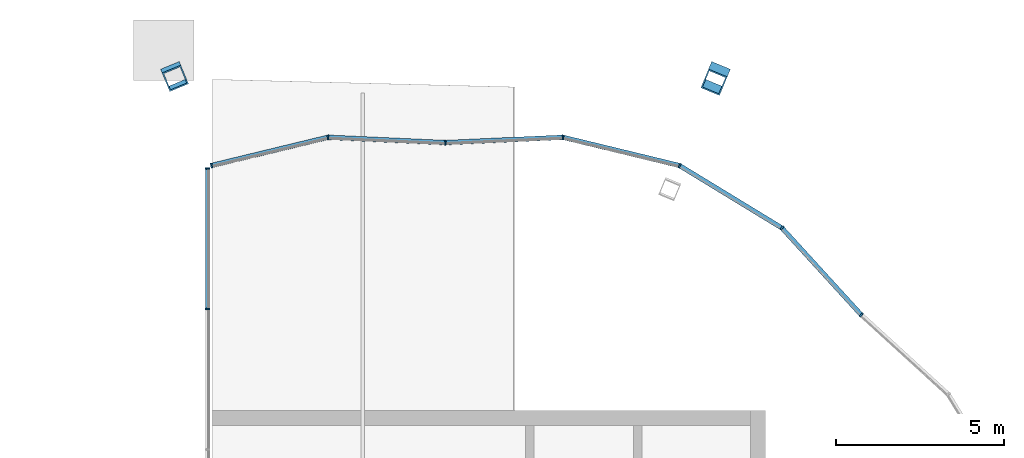
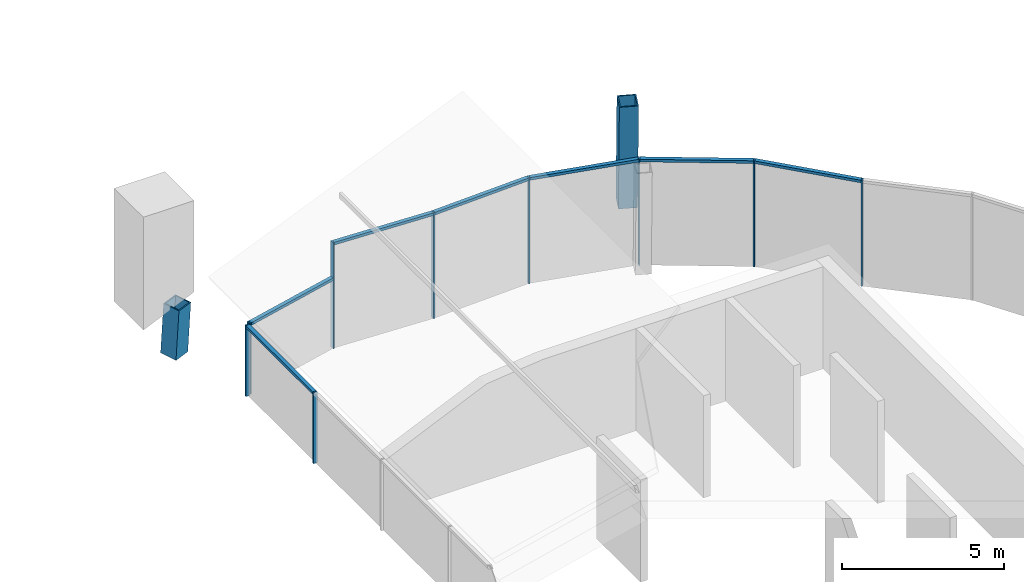
# One storey, part 6 of 14: 18 members, 4 elements without a shape of their own.
"""IFC4 building model written with IfcOpenShell, lengths in metres."""

from ifc_helpers import new_model, si_unit, direction, frame, origin, origin_2d, place, context, subcontext, project, spatial, rectangle, hollow_rectangle, extrude, material, material_profile, profile_set, type_object, element, aggregate, save


model = new_model("IFC4")

# Units and contexts
model_context = context("Model", 3, precision=1e-05, world=origin(), true_north=direction((0.0, 1.0)))
body_context = subcontext(model_context, "Body", "Model", "MODEL_VIEW")
ifc_project = project(units=[si_unit("LENGTHUNIT", "METRE"), si_unit("AREAUNIT", "SQUARE_METRE"), si_unit("VOLUMEUNIT", "CUBIC_METRE"), si_unit("PLANEANGLEUNIT", "RADIAN"), si_unit("MASSUNIT", "GRAM", prefix="KILO")], contexts=[model_context])

# Site, building, storey
site_placement = place(None, origin())
site = spatial("IfcSite", under=ifc_project, at=site_placement, CompositionType="ELEMENT")
building_placement = place(site_placement, origin())
building = spatial("IfcBuilding", under=site, at=building_placement, Name="Ogive Gate Towers", CompositionType="ELEMENT")
storey_placement = place(building_placement, frame((0.0, 0.0, 306.0)))
storey = spatial("IfcBuildingStorey", under=building, at=storey_placement, Name="L72", CompositionType="ELEMENT", Elevation=306.0)

# Curtain wall, member
ifc_material_1 = material(Name="Pale metal aluminium", Category="aluminium")
curtain_wall_type = type_object("IfcCurtainWallType", Name="Crown lean wall", PredefinedType="NOTDEFINED", material=ifc_material_1)
curtain_wall_1_placement = place(storey_placement, origin())
curtain_wall_1 = element("IfcCurtainWall", 1, at=curtain_wall_1_placement, inside=storey, type_object=curtain_wall_type, Name="CW5 T1 ECW01", PredefinedType="NOTDEFINED")
ifc_material_profile_1 = material_profile(ifc_material_1, rectangle(XDim=0.139892578125, YDim=0.050048828125, at=origin_2d()), Name="50 x 140 aluminium box")
ifc_profile_set_1 = profile_set([ifc_material_profile_1], Name="Pale metal aluminium")
member_type_1 = type_object("IfcMemberType", Name="Crown lean wall mullion 50 x 140", PredefinedType="MULLION", material=ifc_profile_set_1)
member_1_placement = place(storey_placement, frame((-23.661865234375, 12.340087890625, -0.300048828125), z_axis=(0.0, 0.0, 1.0), x_axis=(-0.674353939849, -0.738408263639, 0.0)))
member_1 = element("IfcMember", 2, at=member_1_placement, type_object=member_type_1, Name="CW5 mullion", PredefinedType="MULLION", context=body_context, shape_type="SweptSolid", body=[
    extrude(rectangle(XDim=0.139892578125, YDim=0.050048828125, at=origin_2d()), origin(), (0.0, 0.0, 1.0), 4.0),
])
aggregate(curtain_wall_1, [member_1])

# Curtain wall, members
curtain_wall_2_placement = place(storey_placement, origin())
curtain_wall_2 = element("IfcCurtainWall", 3, at=curtain_wall_2_placement, inside=storey, type_object=curtain_wall_type, Name="CW5 T1 ECW02", PredefinedType="NOTDEFINED")
member_2_placement = place(storey_placement, frame((-36.00146484375, 17.4501953125, -0.300048828125), z_axis=(0.0, 0.0, 1.0), x_axis=(0.045275811329, -0.998974524654, 0.0)))
member_2 = element("IfcMember", 4, at=member_2_placement, type_object=member_type_1, Name="CW5 mullion", PredefinedType="MULLION", context=body_context, shape_type="SweptSolid", body=[
    extrude(rectangle(XDim=0.139892578125, YDim=0.050048828125, at=origin_2d()), origin(), (0.0, 0.0, 1.0), 4.0),
])
member_3_placement = place(storey_placement, frame((-32.510986328125, 17.60791015625, -0.300048828125), z_axis=(0.0, 0.0, 1.0), x_axis=(-0.096158460724, -0.995366038416, 0.0)))
member_3 = element("IfcMember", 5, at=member_3_placement, type_object=member_type_1, Name="CW5 mullion", PredefinedType="MULLION", context=body_context, shape_type="SweptSolid", body=[
    extrude(rectangle(XDim=0.139892578125, YDim=0.050048828125, at=origin_2d()), origin(), (0.0, 0.0, 1.0), 4.0),
])
member_4_placement = place(storey_placement, frame((-29.0537109375, 16.76953125, -0.300048828125), z_axis=(0.0, 0.0, 1.0), x_axis=(-0.382667307567, -0.923886211456, 0.0)))
member_4 = element("IfcMember", 6, at=member_4_placement, type_object=member_type_1, Name="CW5 mullion", PredefinedType="MULLION", context=body_context, shape_type="SweptSolid", body=[
    extrude(rectangle(XDim=0.139892578125, YDim=0.050048828125, at=origin_2d()), origin(), (0.0, 0.0, 1.0), 4.0),
])
member_5_placement = place(storey_placement, frame((-26.016357421875, 14.91796875, -0.300048828125), z_axis=(0.0, 0.0, 1.0), x_axis=(-0.635822304907, -0.771835472483, 0.0)))
member_5 = element("IfcMember", 7, at=member_5_placement, type_object=member_type_1, Name="CW5 mullion", PredefinedType="MULLION", context=body_context, shape_type="SweptSolid", body=[
    extrude(rectangle(XDim=0.139892578125, YDim=0.050048828125, at=origin_2d()), origin(), (0.0, 0.0, 1.0), 4.0),
])

curtain_wall_3_placement = place(storey_placement, origin())
curtain_wall_3 = element("IfcCurtainWall", 8, at=curtain_wall_3_placement, inside=storey, type_object=curtain_wall_type, Name="CW5 T1 ECW03", PredefinedType="NOTDEFINED")
member_6_placement = place(storey_placement, frame((-42.94189453125, 16.77099609375, -0.300048828125), z_axis=(0.0, 0.0, 1.0), x_axis=(0.23568492183, -0.971829520864, 0.0)))
member_6 = element("IfcMember", 9, at=member_6_placement, type_object=member_type_1, Name="CW5 mullion", PredefinedType="MULLION", context=body_context, shape_type="SweptSolid", body=[
    extrude(rectangle(XDim=0.139892578125, YDim=0.050048828125, at=origin_2d()), origin(), (0.0, 0.0, 1.0), 2.677734375),
])
member_7_placement = place(storey_placement, frame((-39.489013671875, 17.60791015625, -0.300048828125), z_axis=(0.0, 0.0, 1.0), x_axis=(0.096158460724, -0.995366038416, 0.0)))
member_7 = element("IfcMember", 10, at=member_7_placement, type_object=member_type_1, Name="CW5 mullion", PredefinedType="MULLION", context=body_context, shape_type="SweptSolid", body=[
    extrude(rectangle(XDim=0.139892578125, YDim=0.050048828125, at=origin_2d()), origin(), (0.0, 0.0, 1.0), 4.0),
])

curtain_wall_4_placement = place(storey_placement, origin())
curtain_wall_4 = element("IfcCurtainWall", 11, at=curtain_wall_4_placement, inside=storey, type_object=curtain_wall_type, Name="CW5 T1 ECW03b", PredefinedType="NOTDEFINED")
member_8_placement = place(storey_placement, frame((-43.059326171875, 12.51318359375, -0.300048828125), z_axis=(0.0, 0.0, 1.0), x_axis=(1.0, 0.0, 0.0)))
member_8 = element("IfcMember", 12, at=member_8_placement, type_object=member_type_1, Name="CW5 mullion", PredefinedType="MULLION", context=body_context, shape_type="SweptSolid", body=[
    extrude(rectangle(XDim=0.139892578125, YDim=0.050048828125, at=origin_2d()), origin(), (0.0, 0.0, 1.0), 2.679931640625),
])
member_9_placement = place(storey_placement, frame((-43.059326171875, 16.68408203125, -0.300048828125), z_axis=(0.0, 0.0, 1.0), x_axis=(1.0, 0.0, 0.0)))
member_9 = element("IfcMember", 13, at=member_9_placement, type_object=member_type_1, Name="CW5 mullion", PredefinedType="MULLION", context=body_context, shape_type="SweptSolid", body=[
    extrude(rectangle(XDim=0.139892578125, YDim=0.050048828125, at=origin_2d()), origin(), (0.0, 0.0, 1.0), 2.679931640625),
])

# Member
ifc_material_profile_2 = material_profile(ifc_material_1, rectangle(XDim=0.139892578125, YDim=0.10009765625, at=origin_2d()), Name="100 x 140 aluminium box")
ifc_profile_set_2 = profile_set([ifc_material_profile_2], Name="Pale metal aluminium")
member_type_2 = type_object("IfcMemberType", Name="Crown lean wall transom 100 x 140", PredefinedType="USERDEFINED", material=ifc_profile_set_2)
member_10_placement = place(storey_placement, frame((-35.976318359375, 17.451171875, 3.64990234375), z_axis=(0.998974239594, 0.045282100523, 0.0), x_axis=(-0.045282100523, 0.998974239594, 0.0)))
member_10 = element("IfcMember", 14, at=member_10_placement, type_object=member_type_2, Name="CW5 transom", ObjectType="TRANSOM", PredefinedType="USERDEFINED", context=body_context, shape_type="SweptSolid", body=[
    extrude(rectangle(XDim=0.139892578125, YDim=0.10009765625, at=origin_2d()), origin(), (0.0, 0.0, 1.0), 3.439697265625),
])

member_11_placement = place(storey_placement, frame((-32.482421875, 17.601318359375, 3.64990234375), z_axis=(0.971834124793, -0.235665937055, 0.0), x_axis=(0.235665937055, 0.971834124793, 0.0)))
member_11 = element("IfcMember", 15, at=member_11_placement, type_object=member_type_2, Name="CW5 transom", ObjectType="TRANSOM", PredefinedType="USERDEFINED", context=body_context, shape_type="SweptSolid", body=[
    extrude(rectangle(XDim=0.139892578125, YDim=0.10009765625, at=origin_2d()), origin(), (0.0, 0.0, 1.0), 3.49853515625),
])

member_12_placement = place(storey_placement, frame((-29.0283203125, 16.75439453125, 3.64990234375), z_axis=(0.853838541215, -0.520537938613, 0.0), x_axis=(0.520537938613, 0.853838541215, 0.0)))
member_12 = element("IfcMember", 16, at=member_12_placement, type_object=member_type_2, Name="CW5 transom", ObjectType="TRANSOM", PredefinedType="USERDEFINED", context=body_context, shape_type="SweptSolid", body=[
    extrude(rectangle(XDim=0.139892578125, YDim=0.10009765625, at=origin_2d()), origin(), (0.0, 0.0, 1.0), 3.498291015625),
])

member_13_placement = place(storey_placement, frame((-25.99658203125, 14.896484375, 3.64990234375), z_axis=(0.674409034636, -0.738357944361, 0.0), x_axis=(0.738357944361, 0.674409034636, 0.0)))
member_13 = element("IfcMember", 17, at=member_13_placement, type_object=member_type_2, Name="CW5 transom", ObjectType="TRANSOM", PredefinedType="USERDEFINED", context=body_context, shape_type="SweptSolid", body=[
    extrude(rectangle(XDim=0.139892578125, YDim=0.10009765625, at=origin_2d()), origin(), (0.0, 0.0, 1.0), 3.439697265625),
])

aggregate(curtain_wall_2, [member_2, member_3, member_10, member_4, member_11, member_5, member_12, member_13])

member_14_placement = place(storey_placement, frame((-42.91748046875, 16.77685546875, 2.32763671875), z_axis=(0.971834124793, 0.235665937055, 0.0), x_axis=(-0.235665937055, 0.971834124793, 0.0)))
member_14 = element("IfcMember", 18, at=member_14_placement, type_object=member_type_2, Name="CW5 transom", ObjectType="TRANSOM", PredefinedType="USERDEFINED", context=body_context, shape_type="SweptSolid", body=[
    extrude(rectangle(XDim=0.139892578125, YDim=0.10009765625, at=origin_2d()), origin(), (0.0, 0.0, 1.0), 3.49853515625),
])

member_15_placement = place(storey_placement, frame((-39.4599609375, 17.60693359375, 3.64990234375), z_axis=(0.998974239594, -0.045282100523, 0.0), x_axis=(0.045282100523, 0.998974239594, 0.0)))
member_15 = element("IfcMember", 19, at=member_15_placement, type_object=member_type_2, Name="CW5 transom", ObjectType="TRANSOM", PredefinedType="USERDEFINED", context=body_context, shape_type="SweptSolid", body=[
    extrude(rectangle(XDim=0.139892578125, YDim=0.10009765625, at=origin_2d()), origin(), (0.0, 0.0, 1.0), 3.439697265625),
])

aggregate(curtain_wall_3, [member_6, member_7, member_14, member_15])

member_16_placement = place(storey_placement, frame((-43.059326171875, 12.5380859375, 2.330078125), z_axis=(0.0, 1.0, 0.0), x_axis=(-1.0, 0.0, 0.0)))
member_16 = element("IfcMember", 20, at=member_16_placement, type_object=member_type_2, Name="CW5 transom", ObjectType="TRANSOM", PredefinedType="USERDEFINED", context=body_context, shape_type="SweptSolid", body=[
    extrude(rectangle(XDim=0.139892578125, YDim=0.10009765625, at=origin_2d()), origin(), (0.0, 0.0, 1.0), 4.12109375),
])

aggregate(curtain_wall_4, [member_8, member_9, member_16])

# Members
ifc_material_2 = material(Name="Steel SM460", Category="steel")
ifc_material_profile_3 = material_profile(ifc_material_2, hollow_rectangle(XDim=0.60009765625, YDim=0.60009765625, WallThickness=0.0400390625, at=origin_2d()), Name="BX 600x600x40")
ifc_profile_set_3 = profile_set([ifc_material_profile_3], Name="Steel SM460")
member_type_3 = type_object("IfcMemberType", Name="Crown rib BX 600x600x40", PredefinedType="MEMBER", material=ifc_profile_set_3)
member_17_placement = place(storey_placement, frame((-27.9365234375, 19.467041015625, 0.0), z_axis=(-0.023332943868, -0.056352410126, 0.998138256758), x_axis=(0.923931628801, -0.382557636574, 0.0)))
element("IfcMember", 21, at=member_17_placement, inside=storey, type_object=member_type_3, Name="T1/L72/STR002", PredefinedType="MEMBER", context=body_context, shape_type="SweptSolid", body=[
    extrude(hollow_rectangle(XDim=0.60009765625, YDim=0.60009765625, WallThickness=0.0400390625, at=origin_2d()), origin(), (0.0, 0.0, 1.0), 4.007568359375),
])
member_18_placement = place(storey_placement, frame((-44.0634765625, 19.467041015625, 0.0), z_axis=(0.023316281603, -0.056315827697, 0.998140710803), x_axis=(0.923940414925, 0.382536416134, 0.0)))
element("IfcMember", 22, at=member_18_placement, inside=storey, type_object=member_type_3, Name="T1/L72/STR003", PredefinedType="MEMBER", context=body_context, shape_type="SweptSolid", body=[
    extrude(hollow_rectangle(XDim=0.60009765625, YDim=0.60009765625, WallThickness=0.0400390625, at=origin_2d()), origin(), (0.0, 0.0, 1.0), 1.916259765625),
])

save(model, "model.ifc")
